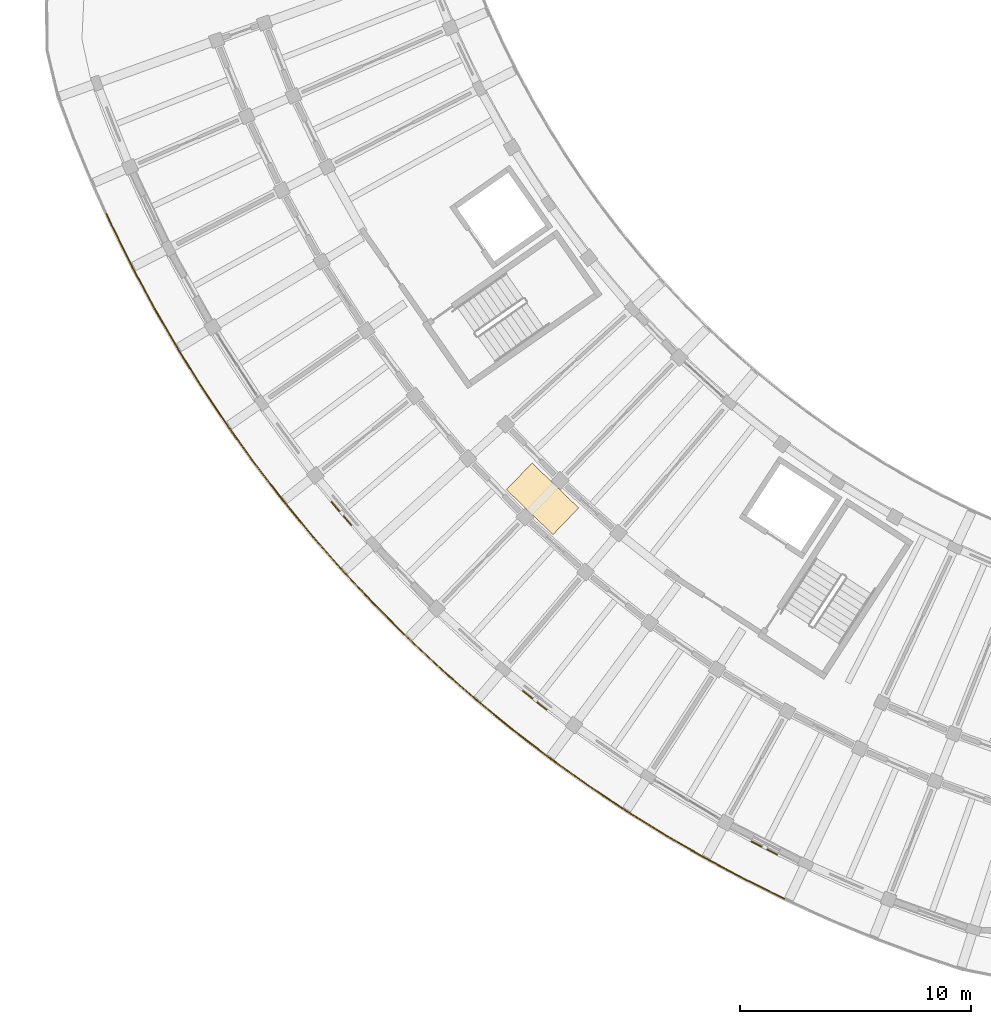
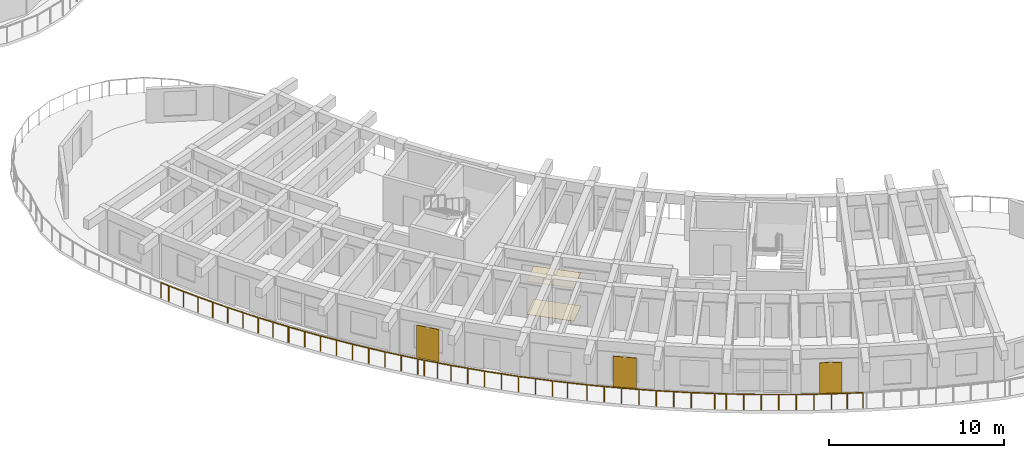
# One storey, part 61 of 78: 5 railings, 3 shading devices, 2 coverings.
"""IFC4 building model written with IfcOpenShell, lengths in metres."""

from ifc_helpers import new_model, si_unit, direction, frame, origin, origin_2d, place, context, subcontext, project, spatial, rectangle, circle, extrude, material, layer, layer_set, type_object, element, save


model = new_model("IFC4")

# Units and contexts
model_context = context("Model", 3, precision=1e-05, world=origin(), true_north=direction((0.0, 1.0)))
body_context = subcontext(model_context, "Body", "Model", "MODEL_VIEW")
ifc_project = project(units=[si_unit("LENGTHUNIT", "METRE"), si_unit("AREAUNIT", "SQUARE_METRE"), si_unit("VOLUMEUNIT", "CUBIC_METRE"), si_unit("PLANEANGLEUNIT", "RADIAN"), si_unit("MASSUNIT", "GRAM", prefix="KILO")], contexts=[model_context])

# Site, building, storey
site_placement = place(None, origin())
site = spatial("IfcSite", under=ifc_project, at=site_placement, CompositionType="ELEMENT")
building_placement = place(site_placement, origin())
building = spatial("IfcBuilding", under=site, at=building_placement, Name="Tanwirah Colonnade Gardens", CompositionType="ELEMENT")
storey_placement = place(building_placement, frame((0.0, 0.0, 22.280029296875)))
storey = spatial("IfcBuildingStorey", under=building, at=storey_placement, Name="L06", CompositionType="ELEMENT", Elevation=22.280029296875)

# Railings
ifc_material_1 = material(Name="Precast concrete C40/50", Category="concrete")
railing_type = type_object("IfcRailingType", Name="BAL-EXT110", PredefinedType="BALUSTRADE", material=ifc_material_1)
railing_1_placement = place(storey_placement, frame((38.671630859375, 9.123046875, 0.0)))
element("IfcRailing", 1, at=railing_1_placement, inside=storey, type_object=railing_type, Name="Block C L06 Balcony Ribbon Balustrade 11", PredefinedType="BALUSTRADE", context=body_context, shape_type="SweptSolid", body=[
    extrude(circle(Radius=0.02392578125, at=origin_2d()), frame((-0.028076171875, 0.013916015625, 1.076171875), z_axis=(-0.897365677898, 0.441287706752, 0.0), x_axis=(-0.441287706752, -0.897365677898, 0.0)), (0.0, 0.0, 1.0), 1.753173828125),
    extrude(circle(Radius=0.02392578125, at=origin_2d()), frame((-1.656982421875, 0.81591796875, 1.076171875), z_axis=(-0.882416921514, 0.470468252516, 0.0), x_axis=(-0.470468252516, -0.882416921514, 0.0)), (0.0, 0.0, 1.0), 1.944091796875),
    extrude(circle(Radius=0.02392578125, at=origin_2d()), frame((-3.42724609375, 1.760986328125, 1.076171875), z_axis=(-0.866598539642, 0.499005983021, 0.0), x_axis=(-0.499005983021, -0.866598539642, 0.0)), (0.0, 0.0, 1.0), 1.94384765625),
    extrude(circle(Radius=0.02392578125, at=origin_2d()), frame((-5.16552734375, 2.76318359375, 1.076171875), z_axis=(-0.84977735452, 0.527141771959, 0.0), x_axis=(-0.527141771959, -0.84977735452, 0.0)), (0.0, 0.0, 1.0), 1.9443359375),
    extrude(circle(Radius=0.02392578125, at=origin_2d()), frame((-6.870361328125, 3.82177734375, 1.076171875), z_axis=(-0.831937211381, 0.554869783209, 0.0), x_axis=(-0.554869783209, -0.831937211381, 0.0)), (0.0, 0.0, 1.0), 0.601806640625),
    extrude(circle(Radius=0.02099609375, at=origin_2d()), origin(), (0.0, 0.0, 1.0), 1.049072265625),
    extrude(circle(Radius=0.02099609375, at=origin_2d()), frame((-0.814697265625, 0.400634765625, 0.0)), (0.0, 0.0, 1.0), 1.049072265625),
    extrude(circle(Radius=0.02099609375, at=origin_2d()), frame((-1.62939453125, 0.80126953125, 0.0)), (0.0, 0.0, 1.0), 1.049072265625),
    extrude(circle(Radius=0.02099609375, at=origin_2d()), frame((-2.5146484375, 1.2734375, 0.0)), (0.0, 0.0, 1.0), 1.049072265625),
    extrude(circle(Radius=0.02099609375, at=origin_2d()), frame((-3.400146484375, 1.745361328125, 0.0)), (0.0, 0.0, 1.0), 1.049072265625),
    extrude(circle(Radius=0.02099609375, at=origin_2d()), frame((-4.26953125, 2.24609375, 0.0)), (0.0, 0.0, 1.0), 1.049072265625),
    extrude(circle(Radius=0.02099609375, at=origin_2d()), frame((-5.138916015625, 2.74658203125, 0.0)), (0.0, 0.0, 1.0), 1.049072265625),
    extrude(circle(Radius=0.02099609375, at=origin_2d()), frame((-5.99169921875, 3.275390625, 0.0)), (0.0, 0.0, 1.0), 1.049072265625),
    extrude(circle(Radius=0.02099609375, at=origin_2d()), frame((-6.84423828125, 3.804443359375, 0.0)), (0.0, 0.0, 1.0), 1.049072265625),
    extrude(circle(Radius=0.02099609375, at=origin_2d()), frame((-7.39697265625, 4.173095703125, 0.0)), (0.0, 0.0, 1.0), 1.049072265625),
])
railing_2_placement = place(storey_placement, frame((31.274658203125, 13.296142578125, 0.0)))
element("IfcRailing", 2, at=railing_2_placement, inside=storey, type_object=railing_type, Name="Block C L06 Balcony Ribbon Balustrade 12", PredefinedType="BALUSTRADE", context=body_context, shape_type="SweptSolid", body=[
    extrude(circle(Radius=0.02392578125, at=origin_2d()), frame((-0.026123046875, 0.017333984375, 1.076171875), z_axis=(-0.832134232777, 0.554574267921, 0.0), x_axis=(-0.554574267921, -0.832134232777, 0.0)), (0.0, 0.0, 1.0), 1.27978515625),
    extrude(circle(Radius=0.02392578125, at=origin_2d()), frame((-1.142333984375, 0.762451171875, 1.076171875), z_axis=(-0.813486769226, 0.581583421612, 0.0), x_axis=(-0.581583421612, -0.813486769226, 0.0)), (0.0, 0.0, 1.0), 1.944091796875),
    extrude(circle(Radius=0.02392578125, at=origin_2d()), frame((-2.774169921875, 1.930419921875, 1.076171875), z_axis=(-0.794033083107, 0.607874545388, 0.0), x_axis=(-0.607874545388, -0.794033083107, 0.0)), (0.0, 0.0, 1.0), 1.944091796875),
    extrude(circle(Radius=0.02392578125, at=origin_2d()), frame((-4.36669921875, 3.15087890625, 1.076171875), z_axis=(-0.773707873236, 0.633542521771, 0.0), x_axis=(-0.633542521771, -0.773707873236, 0.0)), (0.0, 0.0, 1.0), 1.944091796875),
    extrude(circle(Radius=0.02392578125, at=origin_2d()), frame((-5.91845703125, 4.4228515625, 1.076171875), z_axis=(-0.752523537748, 0.658565353731, 0.0), x_axis=(-0.658565353731, -0.752523537748, 0.0)), (0.0, 0.0, 1.0), 1.07568359375),
    extrude(circle(Radius=0.02099609375, at=origin_2d()), origin(), (0.0, 0.0, 1.0), 1.049072265625),
    extrude(circle(Radius=0.02099609375, at=origin_2d()), frame((-1.116943359375, 0.744384765625, 0.0)), (0.0, 0.0, 1.0), 1.049072265625),
    extrude(circle(Radius=0.02099609375, at=origin_2d()), frame((-1.93310546875, 1.327880859375, 0.0)), (0.0, 0.0, 1.0), 1.049072265625),
    extrude(circle(Radius=0.02099609375, at=origin_2d()), frame((-2.749267578125, 1.911376953125, 0.0)), (0.0, 0.0, 1.0), 1.049072265625),
    extrude(circle(Radius=0.02099609375, at=origin_2d()), frame((-3.5458984375, 2.521240234375, 0.0)), (0.0, 0.0, 1.0), 1.049072265625),
    extrude(circle(Radius=0.02099609375, at=origin_2d()), frame((-4.342529296875, 3.131103515625, 0.0)), (0.0, 0.0, 1.0), 1.049072265625),
    extrude(circle(Radius=0.02099609375, at=origin_2d()), frame((-5.11865234375, 3.7666015625, 0.0)), (0.0, 0.0, 1.0), 1.049072265625),
    extrude(circle(Radius=0.02099609375, at=origin_2d()), frame((-5.89501953125, 4.40234375, 0.0)), (0.0, 0.0, 1.0), 1.049072265625),
    extrude(circle(Radius=0.02099609375, at=origin_2d()), frame((-6.75146484375, 5.15185546875, 0.0)), (0.0, 0.0, 1.0), 1.049072265625),
])
railing_3_placement = place(storey_placement, frame((24.523193359375, 18.447998046875, 0.0)))
element("IfcRailing", 3, at=railing_3_placement, inside=storey, type_object=railing_type, Name="Block C L06 Balcony Ribbon Balustrade 13", PredefinedType="BALUSTRADE", context=body_context, shape_type="SweptSolid", body=[
    extrude(circle(Radius=0.02392578125, at=origin_2d()), frame((-0.0234375, 0.0205078125, 1.076171875), z_axis=(-0.752489623502, 0.658604104544, 0.0), x_axis=(-0.658604104544, -0.752489623502, 0.0)), (0.0, 0.0, 1.0), 0.805908203125),
    extrude(circle(Radius=0.02392578125, at=origin_2d()), frame((-0.676513671875, 0.59326171875, 1.076171875), z_axis=(-0.730610060212, 0.682794947196, 0.0), x_axis=(-0.682794947196, -0.730610060212, 0.0)), (0.0, 0.0, 1.0), 1.944091796875),
    extrude(circle(Radius=0.02392578125, at=origin_2d()), frame((-2.141845703125, 1.964111328125, 1.076171875), z_axis=(-0.707897217537, 0.706315460261, 0.0), x_axis=(-0.706315460261, -0.707897217537, 0.0)), (0.0, 0.0, 1.0), 1.944091796875),
    extrude(circle(Radius=0.02392578125, at=origin_2d()), frame((-3.5615234375, 3.382080078125, 1.076171875), z_axis=(-0.684365955264, 0.729138696871, 0.0), x_axis=(-0.729138696871, -0.684365955264, 0.0)), (0.0, 0.0, 1.0), 1.944091796875),
    extrude(circle(Radius=0.02392578125, at=origin_2d()), frame((-4.93408203125, 4.845947265625, 1.076171875), z_axis=(-0.660197492014, 0.75109205264, 0.0), x_axis=(-0.75109205264, -0.660197492014, 0.0)), (0.0, 0.0, 1.0), 1.549072265625),
    extrude(circle(Radius=0.02099609375, at=origin_2d()), origin(), (0.0, 0.0, 1.0), 1.049072265625),
    extrude(circle(Radius=0.02099609375, at=origin_2d()), frame((-0.653564453125, 0.572021484375, 0.0)), (0.0, 0.0, 1.0), 1.049072265625),
    extrude(circle(Radius=0.02099609375, at=origin_2d()), frame((-1.38671875, 1.257080078125, 0.0)), (0.0, 0.0, 1.0), 1.049072265625),
    extrude(circle(Radius=0.02099609375, at=origin_2d()), frame((-2.11962890625, 1.942138671875, 0.0)), (0.0, 0.0, 1.0), 1.049072265625),
    extrude(circle(Radius=0.02099609375, at=origin_2d()), frame((-2.829833984375, 2.65087890625, 0.0)), (0.0, 0.0, 1.0), 1.049072265625),
    extrude(circle(Radius=0.02099609375, at=origin_2d()), frame((-3.5400390625, 3.359375, 0.0)), (0.0, 0.0, 1.0), 1.049072265625),
    extrude(circle(Radius=0.02099609375, at=origin_2d()), frame((-4.2265625, 4.0908203125, 0.0)), (0.0, 0.0, 1.0), 1.049072265625),
    extrude(circle(Radius=0.02099609375, at=origin_2d()), frame((-4.913330078125, 4.822509765625, 0.0)), (0.0, 0.0, 1.0), 1.049072265625),
    extrude(circle(Radius=0.02099609375, at=origin_2d()), frame((-5.4453125, 5.427734375, 0.0)), (0.0, 0.0, 1.0), 1.049072265625),
    extrude(circle(Radius=0.02099609375, at=origin_2d()), frame((-5.977294921875, 6.032958984375, 0.0)), (0.0, 0.0, 1.0), 1.049072265625),
])
railing_4_placement = place(storey_placement, frame((18.5458984375, 24.48095703125, 0.0)))
element("IfcRailing", 4, at=railing_4_placement, inside=storey, type_object=railing_type, Name="Block C L06 Balcony Ribbon Balustrade 14", PredefinedType="BALUSTRADE", context=body_context, shape_type="SweptSolid", body=[
    extrude(circle(Radius=0.02392578125, at=origin_2d()), frame((-0.020751953125, 0.0234375, 1.076171875), z_axis=(-0.660209730751, 0.751081294815, 0.0), x_axis=(-0.751081294815, -0.660209730751, 0.0)), (0.0, 0.0, 1.0), 0.33251953125),
    extrude(circle(Radius=0.02392578125, at=origin_2d()), frame((-0.280517578125, 0.32080078125, 1.076171875), z_axis=(-0.635216698846, 0.77233395983, 0.0), x_axis=(-0.77233395983, -0.635216698846, 0.0)), (0.0, 0.0, 1.0), 1.944091796875),
    extrude(circle(Radius=0.02392578125, at=origin_2d()), frame((-1.554443359375, 1.87109375, 1.076171875), z_axis=(-0.609669601555, 0.7926556484, 0.0), x_axis=(-0.7926556484, -0.609669601555, 0.0)), (0.0, 0.0, 1.0), 1.944091796875),
    extrude(circle(Radius=0.02392578125, at=origin_2d()), frame((-2.777099609375, 3.46240234375, 1.076171875), z_axis=(-0.583285007996, 0.812267566413, 0.0), x_axis=(-0.812267566413, -0.583285007996, 0.0)), (0.0, 0.0, 1.0), 1.944091796875),
    extrude(circle(Radius=0.02392578125, at=origin_2d()), frame((-3.946533203125, 5.0927734375, 1.076171875), z_axis=(-0.556495801451, 0.830850421537, 0.0), x_axis=(-0.830850421537, -0.556495801451, 0.0)), (0.0, 0.0, 1.0), 1.944091796875),
    extrude(circle(Radius=0.02392578125, at=origin_2d()), frame((-5.0625, 6.7607421875, 1.076171875), z_axis=(-0.528600729937, 0.848870583958, 0.0), x_axis=(-0.848870583958, -0.528600729937, 0.0)), (0.0, 0.0, 1.0), 0.01611328125),
    extrude(circle(Radius=0.02099609375, at=origin_2d()), origin(), (0.0, 0.0, 1.0), 1.049072265625),
    extrude(circle(Radius=0.02099609375, at=origin_2d()), frame((-0.2607421875, 0.296630859375, 0.0)), (0.0, 0.0, 1.0), 1.049072265625),
    extrude(circle(Radius=0.02099609375, at=origin_2d()), frame((-0.89794921875, 1.071533203125, 0.0)), (0.0, 0.0, 1.0), 1.049072265625),
    extrude(circle(Radius=0.02099609375, at=origin_2d()), frame((-1.535400390625, 1.846435546875, 0.0)), (0.0, 0.0, 1.0), 1.049072265625),
    extrude(circle(Radius=0.02099609375, at=origin_2d()), frame((-2.14697265625, 2.6416015625, 0.0)), (0.0, 0.0, 1.0), 1.049072265625),
    extrude(circle(Radius=0.02099609375, at=origin_2d()), frame((-2.7587890625, 3.43701171875, 0.0)), (0.0, 0.0, 1.0), 1.049072265625),
    extrude(circle(Radius=0.02099609375, at=origin_2d()), frame((-3.343994140625, 4.251953125, 0.0)), (0.0, 0.0, 1.0), 1.049072265625),
    extrude(circle(Radius=0.02099609375, at=origin_2d()), frame((-3.92919921875, 5.06689453125, 0.0)), (0.0, 0.0, 1.0), 1.049072265625),
    extrude(circle(Radius=0.02099609375, at=origin_2d()), frame((-4.487548828125, 5.900390625, 0.0)), (0.0, 0.0, 1.0), 1.049072265625),
    extrude(circle(Radius=0.02099609375, at=origin_2d()), frame((-5.0458984375, 6.734130859375, 0.0)), (0.0, 0.0, 1.0), 1.049072265625),
    extrude(circle(Radius=0.02099609375, at=origin_2d()), frame((-5.08740234375, 6.80078125, 0.0)), (0.0, 0.0, 1.0), 1.049072265625),
])
railing_5_placement = place(storey_placement, frame((13.45849609375, 31.28173828125, 0.0)))
element("IfcRailing", 5, at=railing_5_placement, inside=storey, type_object=railing_type, Name="Block C L06 Balcony Ribbon Balustrade 15", PredefinedType="BALUSTRADE", context=body_context, shape_type="SweptSolid", body=[
    extrude(circle(Radius=0.02392578125, at=origin_2d()), frame((-0.0166015625, 0.026611328125, 1.076171875), z_axis=(-0.529019769047, 0.848609500275, 0.0), x_axis=(-0.848609500275, -0.529019769047, 0.0)), (0.0, 0.0, 1.0), 1.86572265625),
    extrude(circle(Radius=0.02392578125, at=origin_2d()), frame((-1.03564453125, 1.663330078125, 1.076171875), z_axis=(-0.500940340279, 0.865481816956, 0.0), x_axis=(-0.865481816956, -0.500940340279, 0.0)), (0.0, 0.0, 1.0), 1.94384765625),
    extrude(circle(Radius=0.02392578125, at=origin_2d()), frame((-2.039794921875, 3.400390625, 1.076171875), z_axis=(-0.472342962594, 0.881414843129, 0.0), x_axis=(-0.881414843129, -0.472342962594, 0.0)), (0.0, 0.0, 1.0), 1.944091796875),
    extrude(circle(Radius=0.02392578125, at=origin_2d()), frame((-2.98681640625, 5.16943359375, 1.076171875), z_axis=(-0.443316350815, 0.896365223054, 0.0), x_axis=(-0.896365223054, -0.443316350815, 0.0)), (0.0, 0.0, 1.0), 1.9443359375),
    extrude(circle(Radius=0.02392578125, at=origin_2d()), frame((-3.87548828125, 6.96875, 1.076171875), z_axis=(-0.413469741938, 0.910517859518, 0.0), x_axis=(-0.910517859518, -0.413469741938, 0.0)), (0.0, 0.0, 1.0), 0.489501953125),
    extrude(circle(Radius=0.02099609375, at=origin_2d()), origin(), (0.0, 0.0, 1.0), 1.049072265625),
    extrude(circle(Radius=0.02099609375, at=origin_2d()), frame((-0.510009765625, 0.818115234375, 0.0)), (0.0, 0.0, 1.0), 1.049072265625),
    extrude(circle(Radius=0.02099609375, at=origin_2d()), frame((-1.02001953125, 1.63623046875, 0.0)), (0.0, 0.0, 1.0), 1.049072265625),
    extrude(circle(Radius=0.02099609375, at=origin_2d()), frame((-1.5224609375, 2.50439453125, 0.0)), (0.0, 0.0, 1.0), 1.049072265625),
    extrude(circle(Radius=0.02099609375, at=origin_2d()), frame((-2.025146484375, 3.372802734375, 0.0)), (0.0, 0.0, 1.0), 1.049072265625),
    extrude(circle(Radius=0.02099609375, at=origin_2d()), frame((-2.4990234375, 4.257080078125, 0.0)), (0.0, 0.0, 1.0), 1.049072265625),
    extrude(circle(Radius=0.02099609375, at=origin_2d()), frame((-2.972900390625, 5.141357421875, 0.0)), (0.0, 0.0, 1.0), 1.049072265625),
    extrude(circle(Radius=0.02099609375, at=origin_2d()), frame((-3.417724609375, 6.040771484375, 0.0)), (0.0, 0.0, 1.0), 1.049072265625),
    extrude(circle(Radius=0.02099609375, at=origin_2d()), frame((-3.862548828125, 6.940185546875, 0.0)), (0.0, 0.0, 1.0), 1.049072265625),
    extrude(circle(Radius=0.02099609375, at=origin_2d()), frame((-4.0908203125, 7.44287109375, 0.0)), (0.0, 0.0, 1.0), 1.049072265625),
])

# Coverings
ifc_material_2 = material(Name="Acoustic perforated gypsum ceiling board")
ifc_layer_1 = layer(ifc_material_2, 0.014892578125)
ifc_layer_set_1 = layer_set([ifc_layer_1], Name="Acoustic perforated gypsum ceiling board")
covering_type_1 = type_object("IfcCoveringType", Name="COV-CEIL15", PredefinedType="CEILING", material=ifc_layer_set_1)
covering_1_placement = place(storey_placement, frame((28.2177734375, 26.410888671875, 2.3125), z_axis=(0.0, 0.0, 1.0), x_axis=(0.719339800339, -0.694658370459, 0.0)))
element("IfcCovering", 6, at=covering_1_placement, inside=storey, type_object=covering_type_1, Name="Block C L06 Corridor Acoustic Ceiling", PredefinedType="CEILING", context=body_context, shape_type="SweptSolid", body=[
    extrude(rectangle(XDim=2.800048828125, YDim=1.60009765625, at=origin_2d()), origin(), (0.0, 0.0, 1.0), 0.014892578125),
])
ifc_material_3 = material(Name="Honed Abu Dhabi limestone terrazzo flooring", Category="masonry")
ifc_layer_2 = layer(ifc_material_3, 0.02001953125)
ifc_layer_set_2 = layer_set([ifc_layer_2], Name="Honed Abu Dhabi limestone terrazzo flooring")
covering_type_2 = type_object("IfcCoveringType", Name="COV-FLR20", PredefinedType="FLOORING", material=ifc_layer_set_2)
covering_2_placement = place(storey_placement, frame((28.2177734375, 26.410888671875, 0.0), z_axis=(0.0, 0.0, 1.0), x_axis=(0.719339800339, -0.694658370459, 0.0)))
element("IfcCovering", 7, at=covering_2_placement, inside=storey, type_object=covering_type_2, Name="Block C L06 Corridor Terrazzo Flooring", PredefinedType="FLOORING", context=body_context, shape_type="SweptSolid", body=[
    extrude(rectangle(XDim=2.800048828125, YDim=1.60009765625, at=origin_2d()), origin(), (0.0, 0.0, 1.0), 0.02001953125),
])

# Shading devices
ifc_material_4 = material(Name="Perforated architectural bronze aluminium", Category="aluminium")
ifc_layer_3 = layer(ifc_material_4, 0.044921875)
ifc_layer_set_3 = layer_set([ifc_layer_3], Name="Perforated architectural bronze aluminium")
shading_device_type = type_object("IfcShadingDeviceType", Name="SHD-MSH1", PredefinedType="JALOUSIE", material=ifc_layer_set_3)
shading_device_1_placement = place(storey_placement, frame((19.521240234375, 25.769775390625, 0.0), z_axis=(0.0, 0.0, 1.0), x_axis=(0.647787018861, -0.761821487092, 0.0)))
element("IfcShadingDevice", 8, at=shading_device_1_placement, inside=storey, type_object=shading_device_type, Name="Bronze mashrabiya solar screen C-L06-06", PredefinedType="JALOUSIE", context=body_context, shape_type="SweptSolid", body=[
    extrude(rectangle(XDim=1.35009765625, YDim=0.044921875, at=origin_2d()), origin(), (0.0, 0.0, 1.0), 2.260009765625),
])
shading_device_2_placement = place(storey_placement, frame((27.880615234375, 17.697265625, 0.0), z_axis=(0.0, 0.0, 1.0), x_axis=(0.783964634348, -0.620805486519, 0.0)))
element("IfcShadingDevice", 9, at=shading_device_2_placement, inside=storey, type_object=shading_device_type, Name="Bronze mashrabiya solar screen C-L06-09", PredefinedType="JALOUSIE", context=body_context, shape_type="SweptSolid", body=[
    extrude(rectangle(XDim=1.35009765625, YDim=0.044921875, at=origin_2d()), origin(), (0.0, 0.0, 1.0), 2.14990234375),
])
shading_device_3_placement = place(storey_placement, frame((37.8046875, 11.31396484375, 0.0), z_axis=(0.0, 0.0, 1.0), x_axis=(0.890014924435, -0.455931392078, 0.0)))
element("IfcShadingDevice", 10, at=shading_device_3_placement, inside=storey, type_object=shading_device_type, Name="Bronze mashrabiya solar screen C-L06-12", PredefinedType="JALOUSIE", context=body_context, shape_type="SweptSolid", body=[
    extrude(rectangle(XDim=1.280029296875, YDim=0.044921875, at=origin_2d()), origin(), (0.0, 0.0, 1.0), 2.169921875),
])

save(model, "model.ifc")
